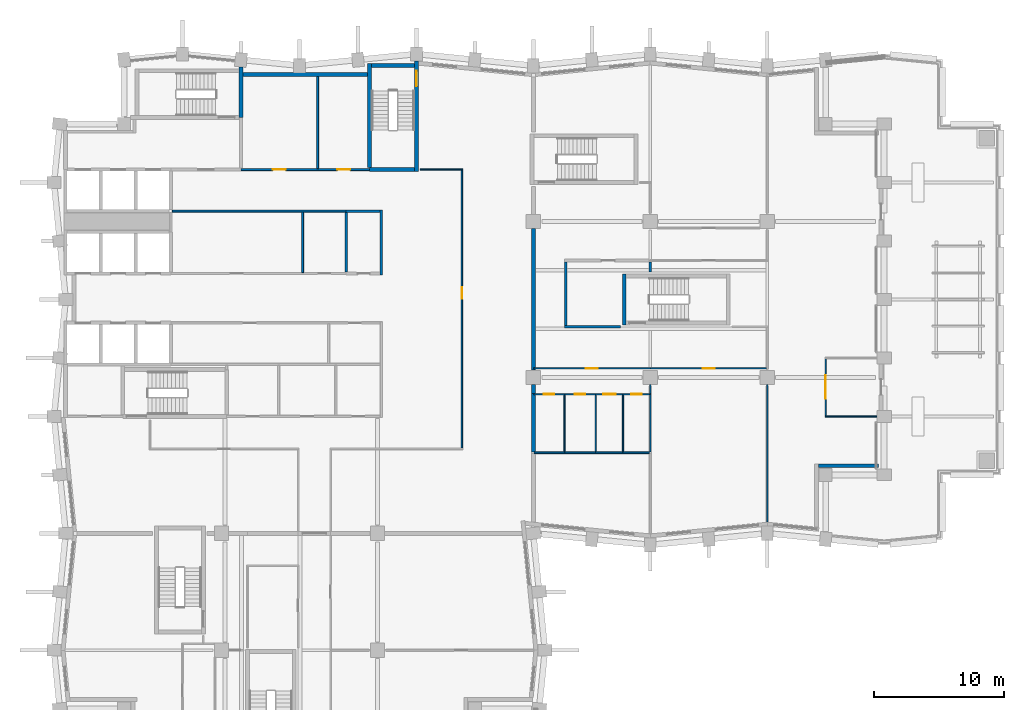
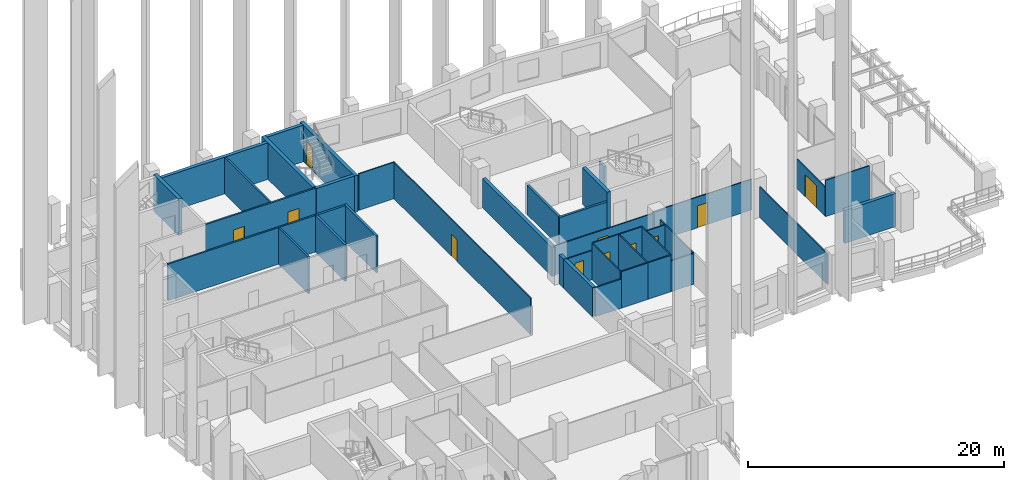
# One storey, part 13 of 18: 41 walls, 11 doors, 11 openings.
"""IFC4 building model written with IfcOpenShell, lengths in metres."""

from ifc_helpers import new_model, si_unit, direction, frame, frame_2d, origin, place, context, subcontext, project, spatial, rectangle, extrude, material, layer, layer_set, type_object, element, fill, save


model = new_model("IFC4")

# Units and contexts
model_context = context("Model", 3, precision=1e-05, world=origin(), true_north=direction((0.0, 1.0)))
body_context = subcontext(model_context, "Body", "Model", "MODEL_VIEW")
ifc_project = project(units=[si_unit("LENGTHUNIT", "METRE"), si_unit("AREAUNIT", "SQUARE_METRE"), si_unit("VOLUMEUNIT", "CUBIC_METRE"), si_unit("PLANEANGLEUNIT", "RADIAN"), si_unit("MASSUNIT", "GRAM", prefix="KILO")], contexts=[model_context])

# Site, building, storey
site_placement = place(None, origin())
site = spatial("IfcSite", under=ifc_project, at=site_placement, CompositionType="ELEMENT")
building_placement = place(site_placement, origin())
building = spatial("IfcBuilding", under=site, at=building_placement, Name="Brondeck Convention Tower", CompositionType="ELEMENT")
storey_placement = place(building_placement, frame((0.0, 0.0, 143.39990234375)))
storey = spatial("IfcBuildingStorey", under=building, at=storey_placement, Name="L34", CompositionType="ELEMENT", Elevation=143.39990234375)

# Walls
ifc_material_1 = material(Name="Concrete compartment wall C30/37", Category="concrete")
ifc_layer_1 = layer(ifc_material_1, 0.300048828125)
ifc_layer_set_1 = layer_set([ifc_layer_1], Name="Compartment wall 300")
wall_type_1 = type_object("IfcWallType", Name="Compartment wall 300", PredefinedType="PARTITIONING", material=ifc_layer_set_1)
wall_1_placement = place(storey_placement, frame((36.0, 33.262451171875, 0.0), z_axis=(0.0, 0.0, 1.0), x_axis=(0.0, 1.0, 0.0)))
element("IfcWall", 1, at=wall_1_placement, inside=storey, type_object=wall_type_1, Name="FLR-L34-W035", PredefinedType="PARTITIONING", context=body_context, shape_type="SweptSolid", body=[
    extrude(rectangle(XDim=4.482666015625, YDim=0.300048828125, at=frame_2d((2.2412109375, 0.0))), origin(), (0.0, 0.0, 1.0), 2.780029296875),
])
wall_2_placement = place(storey_placement, frame((36.0, 37.75, 0.0), z_axis=(0.0, 0.0, 1.0), x_axis=(0.0, 1.0, 0.0)))
element("IfcWall", 2, at=wall_2_placement, inside=storey, type_object=wall_type_1, Name="FLR-L34-W050", PredefinedType="PARTITIONING", context=body_context, shape_type="SweptSolid", body=[
    extrude(rectangle(XDim=0.695068359375, YDim=0.300048828125, at=frame_2d((0.34765625, 0.0))), origin(), (0.0, 0.0, 1.0), 2.780029296875),
])
wall_3_placement = place(storey_placement, frame((36.0, 39.570068359375, 0.0), z_axis=(0.0, 0.0, 1.0), x_axis=(0.0, 1.0, 0.0)))
element("IfcWall", 3, at=wall_3_placement, inside=storey, type_object=wall_type_1, Name="FLR-L34-W054", PredefinedType="PARTITIONING", context=body_context, shape_type="SweptSolid", body=[
    extrude(rectangle(XDim=10.875, YDim=0.300048828125, at=frame_2d((5.4375, 0.0))), origin(), (0.0, 0.0, 1.0), 2.780029296875),
])
ifc_material_2 = material(Name="Concrete C70/85", Category="concrete")
ifc_layer_2 = layer(ifc_material_2, 0.199951171875)
ifc_layer_set_2 = layer_set([ifc_layer_2], Name="Core beam-seat wall 200 Concrete C70/85")
wall_type_2 = type_object("IfcWallType", Name="Core beam-seat wall 200 Concrete C70/85", PredefinedType="SHEAR", material=ifc_layer_set_2)
wall_4_placement = place(storey_placement, frame((24.300048828125, 46.89990234375, 0.0), z_axis=(0.0, 0.0, 1.0), x_axis=(0.0, 1.0, 0.0)))
element("IfcWall", 4, at=wall_4_placement, inside=storey, type_object=wall_type_2, Name="L34 core wall", PredefinedType="SHEAR", context=body_context, shape_type="SweptSolid", body=[
    extrude(rectangle(XDim=5.0, YDim=0.199951171875, at=frame_2d((2.5, 0.0))), origin(), (0.0, 0.0, 1.0), 3.5),
])
ifc_layer_3 = layer(ifc_material_2, 0.300048828125)
ifc_layer_set_3 = layer_set([ifc_layer_3], Name="Core outer wall 300 Concrete C70/85")
wall_type_3 = type_object("IfcWallType", Name="Core outer wall 300 Concrete C70/85", PredefinedType="SHEAR", material=ifc_layer_set_3)
wall_5_placement = place(storey_placement, frame((13.64990234375, 62.300048828125, 0.0), z_axis=(0.0, 0.0, 1.0), x_axis=(1.0, 0.0, 0.0)))
element("IfcWall", 5, at=wall_5_placement, inside=storey, type_object=wall_type_3, Name="L34 core wall", PredefinedType="SHEAR", context=body_context, shape_type="SweptSolid", body=[
    extrude(rectangle(XDim=9.60009765625, YDim=0.300048828125, at=frame_2d((4.800048828125, 0.0))), origin(), (0.0, 0.0, 1.0), 3.5),
])
ifc_material_3 = material(Name="Fire-rated gypsum board partition")
ifc_layer_4 = layer(ifc_material_3, 0.14990234375)
ifc_layer_set_4 = layer_set([ifc_layer_4], Name="Core partition 150 EI 60")
wall_type_4 = type_object("IfcWallType", Name="Core partition 150 EI 60", PredefinedType="PARTITIONING", material=ifc_layer_set_4)
wall_6_placement = place(storey_placement, frame((8.22509765625, 51.800048828125, 0.0), z_axis=(0.0, 0.0, 1.0), x_axis=(1.0, 0.0, 0.0)))
element("IfcWall", 6, at=wall_6_placement, inside=storey, type_object=wall_type_4, Name="L34 core wall", PredefinedType="PARTITIONING", context=body_context, shape_type="SweptSolid", body=[
    extrude(rectangle(XDim=13.375, YDim=0.14990234375, at=frame_2d((6.6875, 0.0))), origin(), (0.0, 0.0, 1.0), 3.5),
])

# Wall, openings, doors
wall_7_placement = place(storey_placement, frame((13.5, 55.0, 0.0), z_axis=(0.0, 0.0, 1.0), x_axis=(1.0, 0.0, 0.0)))
wall_7 = element("IfcWall", 7, at=wall_7_placement, inside=storey, type_object=wall_type_4, Name="L34 core wall", PredefinedType="PARTITIONING", context=body_context, shape_type="SweptSolid", body=[
    extrude(rectangle(XDim=9.89990234375, YDim=0.14990234375, at=frame_2d((4.949951171875, 0.0))), origin(), (0.0, 0.0, 1.0), 3.5),
])
opening_1_placement = place(wall_7_placement, frame((2.449951171875, 0.0, 0.0)))
opening_1 = element("IfcOpeningElement", 8, at=opening_1_placement, cuts=wall_7, Name="Opening C20-11", PredefinedType="OPENING", context=body_context, shape_type="SweptSolid", body=[
    extrude(rectangle(XDim=1.0, YDim=2.10009765625, at=frame_2d((0.5, 1.050048828125))), frame((0.0, 0.0849609375, 0.0), z_axis=(0.0, -1.0, 0.0), x_axis=(1.0, 0.0, 0.0)), (0.0, 0.0, 1.0), 0.169921875),
])
opening_2_placement = place(wall_7_placement, frame((7.39990234375, 0.0, 0.0)))
opening_2 = element("IfcOpeningElement", 9, at=opening_2_placement, cuts=wall_7, Name="Opening C20-12", PredefinedType="OPENING", context=body_context, shape_type="SweptSolid", body=[
    extrude(rectangle(XDim=1.0, YDim=2.10009765625, at=frame_2d((0.5, 1.050048828125))), frame((0.0, 0.0849609375, 0.0), z_axis=(0.0, -1.0, 0.0), x_axis=(1.0, 0.0, 0.0)), (0.0, 0.0, 1.0), 0.169921875),
])
ifc_material_4 = material(Name="Steel fire door", Category="steel")
door_type_1 = type_object("IfcDoorType", Name="Room door 1000x2100 EI 60", OperationType="NOTDEFINED", PredefinedType="DOOR", material=ifc_material_4)
door_1_placement = place(opening_1_placement, origin())
door_1 = element("IfcDoor", 10, at=door_1_placement, inside=storey, type_object=door_type_1, Name="L34 Room door NE-1", OperationType="SINGLE_SWING_LEFT", OverallHeight=2.10009765625, OverallWidth=1.0, PredefinedType="DOOR", context=body_context, shape_type="SweptSolid", body=[
    extrude(rectangle(XDim=1.0, YDim=2.10009765625, at=frame_2d((0.5, 1.050048828125))), frame((0.0, 0.02490234375, 0.0), z_axis=(0.0, -1.0, 0.0), x_axis=(1.0, 0.0, 0.0)), (0.0, 0.0, 1.0), 0.050048828125),
])
fill(opening_1, door_1)
door_2_placement = place(opening_2_placement, origin())
door_2 = element("IfcDoor", 11, at=door_2_placement, inside=storey, type_object=door_type_1, Name="L34 Room door NE-2", OperationType="SINGLE_SWING_RIGHT", OverallHeight=2.10009765625, OverallWidth=1.0, PredefinedType="DOOR", context=body_context, shape_type="SweptSolid", body=[
    extrude(rectangle(XDim=1.0, YDim=2.10009765625, at=frame_2d((0.5, 1.050048828125))), frame((0.0, 0.02490234375, 0.0), z_axis=(0.0, -1.0, 0.0), x_axis=(1.0, 0.0, 0.0)), (0.0, 0.0, 1.0), 0.050048828125),
])
fill(opening_2, door_2)

# Walls
wall_8_placement = place(storey_placement, frame((18.25, 47.074951171875, 0.0), z_axis=(0.0, 0.0, 1.0), x_axis=(0.0, 1.0, 0.0)))
element("IfcWall", 12, at=wall_8_placement, inside=storey, type_object=wall_type_4, Name="L34 core wall", PredefinedType="PARTITIONING", context=body_context, shape_type="SweptSolid", body=[
    extrude(rectangle(XDim=4.650146484375, YDim=0.14990234375, at=frame_2d((2.3251953125, 0.0))), origin(), (0.0, 0.0, 1.0), 3.5),
])
wall_9_placement = place(storey_placement, frame((19.39990234375, 55.074951171875, 0.0), z_axis=(0.0, 0.0, 1.0), x_axis=(0.0, 1.0, 0.0)))
element("IfcWall", 13, at=wall_9_placement, inside=storey, type_object=wall_type_4, Name="L34 core wall", PredefinedType="PARTITIONING", context=body_context, shape_type="SweptSolid", body=[
    extrude(rectangle(XDim=7.074951171875, YDim=0.14990234375, at=frame_2d((3.53759765625, 0.0))), origin(), (0.0, 0.0, 1.0), 3.5),
])
ifc_material_5 = material(Name="Precast concrete C50/60 bronze finish", Category="concrete")
ifc_layer_5 = layer(ifc_material_5, 0.070068359375, Name="Bronze precast facing")
ifc_material_6 = material(Name="Mineral wool")
ifc_layer_6 = layer(ifc_material_6, 0.159912109375, Name="Insulation")
ifc_material_7 = material(Name="Concrete C35/45", Category="concrete")
ifc_layer_7 = layer(ifc_material_7, 0.070068359375, Name="Backing")
ifc_layer_set_5 = layer_set([ifc_layer_5, ifc_layer_6, ifc_layer_7], Name="External infill wall, precast concrete C50/60 bronze facing")
wall_type_5 = type_object("IfcWallType", Name="External infill wall, precast concrete C50/60 bronze facing", PredefinedType="SOLIDWALL", material=ifc_layer_set_5)
wall_10_placement = place(storey_placement, frame((62.550048828125, 32.199951171875, 0.0), z_axis=(0.0, 0.0, 1.0), x_axis=(-1.0, 0.0, 0.0)))
element("IfcWall", 14, at=wall_10_placement, inside=storey, type_object=wall_type_5, Name="ENV-EW-L34-P1-NC-SEA63-02", PredefinedType="SOLIDWALL", context=body_context, shape_type="SweptSolid", body=[
    extrude(rectangle(XDim=4.60205078125, YDim=0.300048828125, at=frame_2d((2.301025390625, 0.0))), origin(), (0.0, 0.0, 1.0), 3.150146484375),
])
ifc_material_8 = material(Name="Concrete block wall C16/20", Category="concrete")
ifc_layer_8 = layer(ifc_material_8, 0.199951171875)
ifc_layer_set_6 = layer_set([ifc_layer_8], Name="Plant room wall 200")
wall_type_6 = type_object("IfcWallType", Name="Plant room wall 200", PredefinedType="PARTITIONING", material=ifc_layer_set_6)
wall_11_placement = place(storey_placement, frame((38.39990234375, 42.89990234375, 0.0), z_axis=(0.0, 0.0, 1.0), x_axis=(1.0, 0.0, 0.0)))
element("IfcWall", 15, at=wall_11_placement, inside=storey, type_object=wall_type_6, Name="FLR-L34-W057", PredefinedType="PARTITIONING", context=body_context, shape_type="SweptSolid", body=[
    extrude(rectangle(XDim=4.300048828125, YDim=0.199951171875, at=frame_2d((2.14990234375, 0.0))), origin(), (0.0, 0.0, 1.0), 2.780029296875),
])
wall_12_placement = place(storey_placement, frame((38.5, 47.89990234375, 0.0), z_axis=(0.0, 0.0, 1.0), x_axis=(0.0, -1.0, 0.0)))
element("IfcWall", 16, at=wall_12_placement, inside=storey, type_object=wall_type_6, Name="FLR-L34-W059", PredefinedType="PARTITIONING", context=body_context, shape_type="SweptSolid", body=[
    extrude(rectangle(XDim=4.89990234375, YDim=0.199951171875, at=frame_2d((2.449951171875, 0.0))), origin(), (0.0, 0.0, 1.0), 2.780029296875),
])
wall_13_placement = place(storey_placement, frame((45.0, 47.89990234375, 0.0), z_axis=(0.0, 0.0, 1.0), x_axis=(0.0, -1.0, 0.0)))
element("IfcWall", 17, at=wall_13_placement, inside=storey, type_object=wall_type_6, Name="FLR-L34-W060", PredefinedType="PARTITIONING", context=body_context, shape_type="SweptSolid", body=[
    extrude(rectangle(XDim=0.7998046875, YDim=0.199951171875, at=frame_2d((0.39990234375, 0.0))), origin(), (0.0, 0.0, 1.0), 2.780029296875),
])
ifc_material_9 = material(Name="Gypsum board shaft wall on steel studs", Category="steel")
ifc_layer_9 = layer(ifc_material_9, 0.125)
ifc_layer_set_7 = layer_set([ifc_layer_9], Name="Riser wall 125")
wall_type_7 = type_object("IfcWallType", Name="Riser wall 125", PredefinedType="PARTITIONING", material=ifc_layer_set_7)
wall_14_placement = place(storey_placement, frame((38.39990234375, 33.199951171875, 0.0), z_axis=(0.0, 0.0, 1.0), x_axis=(-1.0, 0.0, 0.0)))
element("IfcWall", 18, at=wall_14_placement, inside=storey, type_object=wall_type_7, Name="FLR-L34-W031", PredefinedType="PARTITIONING", context=body_context, shape_type="SweptSolid", body=[
    extrude(rectangle(XDim=2.33740234375, YDim=0.125, at=frame_2d((1.168701171875, 0.0))), origin(), (0.0, 0.0, 1.0), 2.780029296875),
])
wall_15_placement = place(storey_placement, frame((40.800048828125, 33.199951171875, 0.0), z_axis=(0.0, 0.0, 1.0), x_axis=(-1.0, 0.0, 0.0)))
element("IfcWall", 19, at=wall_15_placement, inside=storey, type_object=wall_type_7, Name="FLR-L34-W032", PredefinedType="PARTITIONING", context=body_context, shape_type="SweptSolid", body=[
    extrude(rectangle(XDim=2.400146484375, YDim=0.125, at=frame_2d((1.2001953125, 0.0))), origin(), (0.0, 0.0, 1.0), 3.47998046875),
])
wall_16_placement = place(storey_placement, frame((42.89990234375, 33.199951171875, 0.0), z_axis=(0.0, 0.0, 1.0), x_axis=(-1.0, 0.0, 0.0)))
element("IfcWall", 20, at=wall_16_placement, inside=storey, type_object=wall_type_7, Name="FLR-L34-W033", PredefinedType="PARTITIONING", context=body_context, shape_type="SweptSolid", body=[
    extrude(rectangle(XDim=2.099853515625, YDim=0.125, at=frame_2d((1.0498046875, 0.0))), origin(), (0.0, 0.0, 1.0), 3.47998046875),
])
wall_17_placement = place(storey_placement, frame((44.9375, 33.199951171875, 0.0), z_axis=(0.0, 0.0, 1.0), x_axis=(-1.0, 0.0, 0.0)))
element("IfcWall", 21, at=wall_17_placement, inside=storey, type_object=wall_type_7, Name="FLR-L34-W034", PredefinedType="PARTITIONING", context=body_context, shape_type="SweptSolid", body=[
    extrude(rectangle(XDim=2.03759765625, YDim=0.125, at=frame_2d((1.018798828125, 0.0))), origin(), (0.0, 0.0, 1.0), 2.93017578125),
])
ifc_layer_10 = layer(ifc_material_3, 0.199951171875)
ifc_layer_set_8 = layer_set([ifc_layer_10], Name="Riser wall 200 EI 120")
wall_type_8 = type_object("IfcWallType", Name="Riser wall 200 EI 120", PredefinedType="PARTITIONING", material=ifc_layer_set_8)
wall_18_placement = place(storey_placement, frame((21.60009765625, 51.800048828125, 0.0), z_axis=(0.0, 0.0, 1.0), x_axis=(1.0, 0.0, 0.0)))
element("IfcWall", 22, at=wall_18_placement, inside=storey, type_object=wall_type_8, Name="L34 core wall", PredefinedType="PARTITIONING", context=body_context, shape_type="SweptSolid", body=[
    extrude(rectangle(XDim=2.599853515625, YDim=0.199951171875, at=frame_2d((1.2998046875, 0.0))), origin(), (0.0, 0.0, 1.0), 3.5),
])
wall_19_placement = place(storey_placement, frame((21.60009765625, 47.10009765625, 0.0), z_axis=(0.0, 0.0, 1.0), x_axis=(0.0, 1.0, 0.0)))
element("IfcWall", 23, at=wall_19_placement, inside=storey, type_object=wall_type_8, Name="L34 core wall", PredefinedType="PARTITIONING", context=body_context, shape_type="SweptSolid", body=[
    extrude(rectangle(XDim=4.599853515625, YDim=0.199951171875, at=frame_2d((2.2998046875, 0.0))), origin(), (0.0, 0.0, 1.0), 3.5),
])
ifc_material_10 = material(Name="Gypsum board partition on steel studs", Category="steel")
ifc_layer_11 = layer(ifc_material_10, 0.10009765625)
ifc_layer_set_9 = layer_set([ifc_layer_11], Name="Room partition 100")
wall_type_9 = type_object("IfcWallType", Name="Room partition 100", PredefinedType="PARTITIONING", material=ifc_layer_set_9)
wall_20_placement = place(storey_placement, frame((54.0, 27.874267578125, 0.0), z_axis=(0.0, 0.0, 1.0), x_axis=(0.0, 1.0, 0.0)))
element("IfcWall", 24, at=wall_20_placement, inside=storey, type_object=wall_type_9, Name="FLR-L34-W028", PredefinedType="PARTITIONING", context=body_context, shape_type="SweptSolid", body=[
    extrude(rectangle(XDim=10.57080078125, YDim=0.10009765625, at=frame_2d((5.285400390625, 0.0))), origin(), (0.0, 0.0, 1.0), 2.93017578125),
])
wall_21_placement = place(storey_placement, frame((62.429931640625, 36.0, 0.0), z_axis=(0.0, 0.0, 1.0), x_axis=(-1.0, 0.0, 0.0)))
element("IfcWall", 25, at=wall_21_placement, inside=storey, type_object=wall_type_9, Name="FLR-L34-W040", PredefinedType="PARTITIONING", context=body_context, shape_type="SweptSolid", body=[
    extrude(rectangle(XDim=3.97998046875, YDim=0.10009765625, at=frame_2d((1.989990234375, 0.0))), origin(), (0.0, 0.0, 1.0), 3.47998046875),
])

# Wall, opening, door
wall_22_placement = place(storey_placement, frame((58.5, 40.449951171875, 0.0), z_axis=(0.0, 0.0, 1.0), x_axis=(0.0, -1.0, 0.0)))
wall_22 = element("IfcWall", 26, at=wall_22_placement, inside=storey, type_object=wall_type_9, Name="FLR-L34-W041", PredefinedType="PARTITIONING", context=body_context, shape_type="SweptSolid", body=[
    extrude(rectangle(XDim=4.39990234375, YDim=0.10009765625, at=frame_2d((2.199951171875, 0.0))), origin(), (0.0, 0.0, 1.0), 2.780029296875),
])
opening_3_placement = place(wall_22_placement, frame((1.300048828125, 0.0, 0.0)))
opening_3 = element("IfcOpeningElement", 27, at=opening_3_placement, cuts=wall_22, Name="Opening OF-F-005", PredefinedType="OPENING", context=body_context, shape_type="SweptSolid", body=[
    extrude(rectangle(XDim=1.800048828125, YDim=2.10009765625, at=frame_2d((0.89990234375, 1.050048828125))), frame((0.0, 0.06005859375, 0.0), z_axis=(0.0, -1.0, 0.0), x_axis=(1.0, 0.0, 0.0)), (0.0, 0.0, 1.0), 0.1201171875),
])
ifc_material_11 = material(Name="Glazed timber double door", Category="wood")
door_type_2 = type_object("IfcDoorType", Name="Double door 1800", OperationType="DOUBLE_DOOR_SINGLE_SWING", PredefinedType="DOOR", material=ifc_material_11)
door_3_placement = place(opening_3_placement, origin())
door_3 = element("IfcDoor", 28, at=door_3_placement, inside=storey, type_object=door_type_2, Name="Door OF-F-005", OperationType="DOUBLE_DOOR_SINGLE_SWING", OverallHeight=2.10009765625, OverallWidth=1.800048828125, PredefinedType="DOOR", context=body_context, shape_type="SweptSolid", body=[
    extrude(rectangle(XDim=1.800048828125, YDim=2.10009765625, at=frame_2d((0.89990234375, 1.050048828125))), frame((0.0, 0.02490234375, 0.0), z_axis=(0.0, -1.0, 0.0), x_axis=(1.0, 0.0, 0.0)), (0.0, 0.0, 1.0), 0.050048828125),
])
fill(opening_3, door_3)

# Walls
for number, where, z_axis, x_axis, name in (
    (29, (38.39990234375, 37.64990234375, 0.0), (0.0, 0.0, 1.0), (0.0, -1.0, 0.0), "FLR-L34-W042"),
    (30, (40.800048828125, 37.64990234375, 0.0), (0.0, 0.0, 1.0), (0.0, -1.0, 0.0), "FLR-L34-W043"),
    (31, (42.89990234375, 37.64990234375, 0.0), (0.0, 0.0, 1.0), (0.0, -1.0, 0.0), "FLR-L34-W044"),
):
    element("IfcWall", number, at=place(storey_placement, frame(where, z_axis=z_axis, x_axis=x_axis)), inside=storey, type_object=wall_type_9, Name=name, PredefinedType="PARTITIONING", context=body_context, shape_type="SweptSolid", body=[
        extrude(rectangle(XDim=4.387451171875, YDim=0.10009765625, at=frame_2d((2.19384765625, 0.0))), origin(), (0.0, 0.0, 1.0), 3.47998046875),
    ])
wall_23_placement = place(storey_placement, frame((45.0, 37.7451171875, 0.0), z_axis=(0.0, 0.0, 1.0), x_axis=(0.0, -1.0, 0.0)))
element("IfcWall", 32, at=wall_23_placement, inside=storey, type_object=wall_type_9, Name="FLR-L34-W045", PredefinedType="PARTITIONING", context=body_context, shape_type="SweptSolid", body=[
    extrude(rectangle(XDim=4.482666015625, YDim=0.10009765625, at=frame_2d((2.2412109375, 0.0))), origin(), (0.0, 0.0, 1.0), 2.93017578125),
])

# Wall, opening, door
wall_24_placement = place(storey_placement, frame((38.39990234375, 37.699951171875, 0.0), z_axis=(0.0, 0.0, 1.0), x_axis=(-1.0, 0.0, 0.0)))
wall_24 = element("IfcWall", 33, at=wall_24_placement, inside=storey, type_object=wall_type_9, Name="FLR-L34-W046", PredefinedType="PARTITIONING", context=body_context, shape_type="SweptSolid", body=[
    extrude(rectangle(XDim=2.349853515625, YDim=0.10009765625, at=frame_2d((1.1748046875, 0.0))), origin(), (0.0, 0.0, 1.0), 2.780029296875),
])
opening_4_placement = place(wall_24_placement, frame((0.800048828125, 0.0, 0.0)))
opening_4 = element("IfcOpeningElement", 34, at=opening_4_placement, cuts=wall_24, Name="Opening OF-F-008", PredefinedType="OPENING", context=body_context, shape_type="SweptSolid", body=[
    extrude(rectangle(XDim=0.800048828125, YDim=2.10009765625, at=frame_2d((0.39990234375, 1.050048828125))), frame((0.0, 0.06005859375, 0.0), z_axis=(0.0, -1.0, 0.0), x_axis=(1.0, 0.0, 0.0)), (0.0, 0.0, 1.0), 0.1201171875),
])
ifc_material_12 = material(Name="Solid timber door leaf", Category="wood")
door_type_3 = type_object("IfcDoorType", Name="En-suite door 800", OperationType="NOTDEFINED", PredefinedType="DOOR", material=ifc_material_12)
door_4_placement = place(opening_4_placement, origin())
door_4 = element("IfcDoor", 35, at=door_4_placement, inside=storey, type_object=door_type_3, Name="Door OF-F-008", OperationType="SINGLE_SWING_LEFT", OverallHeight=2.10009765625, OverallWidth=0.800048828125, PredefinedType="DOOR", context=body_context, shape_type="SweptSolid", body=[
    extrude(rectangle(XDim=0.800048828125, YDim=2.10009765625, at=frame_2d((0.39990234375, 1.050048828125))), frame((0.0, 0.02490234375, 0.0), z_axis=(0.0, -1.0, 0.0), x_axis=(1.0, 0.0, 0.0)), (0.0, 0.0, 1.0), 0.050048828125),
])
fill(opening_4, door_4)

wall_25_placement = place(storey_placement, frame((40.800048828125, 37.699951171875, 0.0), z_axis=(0.0, 0.0, 1.0), x_axis=(-1.0, 0.0, 0.0)))
wall_25 = element("IfcWall", 36, at=wall_25_placement, inside=storey, type_object=wall_type_9, Name="FLR-L34-W047", PredefinedType="PARTITIONING", context=body_context, shape_type="SweptSolid", body=[
    extrude(rectangle(XDim=2.400146484375, YDim=0.10009765625, at=frame_2d((1.2001953125, 0.0))), origin(), (0.0, 0.0, 1.0), 3.47998046875),
])
opening_5_placement = place(wall_25_placement, frame((0.800048828125, 0.0, 0.0)))
opening_5 = element("IfcOpeningElement", 37, at=opening_5_placement, cuts=wall_25, Name="Opening OF-F-009", PredefinedType="OPENING", context=body_context, shape_type="SweptSolid", body=[
    extrude(rectangle(XDim=0.800048828125, YDim=2.10009765625, at=frame_2d((0.39990234375, 1.050048828125))), frame((0.0, 0.06005859375, 0.0), z_axis=(0.0, -1.0, 0.0), x_axis=(1.0, 0.0, 0.0)), (0.0, 0.0, 1.0), 0.1201171875),
])
door_5_placement = place(opening_5_placement, origin())
door_5 = element("IfcDoor", 38, at=door_5_placement, inside=storey, type_object=door_type_3, Name="Door OF-F-009", OperationType="SINGLE_SWING_LEFT", OverallHeight=2.10009765625, OverallWidth=0.800048828125, PredefinedType="DOOR", context=body_context, shape_type="SweptSolid", body=[
    extrude(rectangle(XDim=0.800048828125, YDim=2.10009765625, at=frame_2d((0.39990234375, 1.050048828125))), frame((0.0, 0.02490234375, 0.0), z_axis=(0.0, -1.0, 0.0), x_axis=(1.0, 0.0, 0.0)), (0.0, 0.0, 1.0), 0.050048828125),
])
fill(opening_5, door_5)

wall_26_placement = place(storey_placement, frame((42.89990234375, 37.699951171875, 0.0), z_axis=(0.0, 0.0, 1.0), x_axis=(-1.0, 0.0, 0.0)))
wall_26 = element("IfcWall", 39, at=wall_26_placement, inside=storey, type_object=wall_type_9, Name="FLR-L34-W048", PredefinedType="PARTITIONING", context=body_context, shape_type="SweptSolid", body=[
    extrude(rectangle(XDim=2.099853515625, YDim=0.10009765625, at=frame_2d((1.0498046875, 0.0))), origin(), (0.0, 0.0, 1.0), 3.47998046875),
])
opening_6_placement = place(wall_26_placement, frame((0.574951171875, 0.0, 0.0)))
opening_6 = element("IfcOpeningElement", 40, at=opening_6_placement, cuts=wall_26, Name="Opening OF-F-010", PredefinedType="OPENING", context=body_context, shape_type="SweptSolid", body=[
    extrude(rectangle(XDim=0.949951171875, YDim=2.10009765625, at=frame_2d((0.47509765625, 1.050048828125))), frame((0.0, 0.06005859375, 0.0), z_axis=(0.0, -1.0, 0.0), x_axis=(1.0, 0.0, 0.0)), (0.0, 0.0, 1.0), 0.1201171875),
])
door_type_4 = type_object("IfcDoorType", Name="Accessible door 950", OperationType="NOTDEFINED", PredefinedType="DOOR", material=ifc_material_12)
door_6_placement = place(opening_6_placement, origin())
door_6 = element("IfcDoor", 41, at=door_6_placement, inside=storey, type_object=door_type_4, Name="Door OF-F-010", OperationType="SINGLE_SWING_RIGHT", OverallHeight=2.10009765625, OverallWidth=0.949951171875, PredefinedType="DOOR", context=body_context, shape_type="SweptSolid", body=[
    extrude(rectangle(XDim=0.949951171875, YDim=2.10009765625, at=frame_2d((0.47509765625, 1.050048828125))), frame((0.0, 0.02490234375, 0.0), z_axis=(0.0, -1.0, 0.0), x_axis=(1.0, 0.0, 0.0)), (0.0, 0.0, 1.0), 0.050048828125),
])
fill(opening_6, door_6)

wall_27_placement = place(storey_placement, frame((44.949951171875, 37.699951171875, 0.0), z_axis=(0.0, 0.0, 1.0), x_axis=(-1.0, 0.0, 0.0)))
wall_27 = element("IfcWall", 42, at=wall_27_placement, inside=storey, type_object=wall_type_9, Name="FLR-L34-W049", PredefinedType="PARTITIONING", context=body_context, shape_type="SweptSolid", body=[
    extrude(rectangle(XDim=2.050048828125, YDim=0.10009765625, at=frame_2d((1.02490234375, 0.0))), origin(), (0.0, 0.0, 1.0), 2.93017578125),
])
opening_7_placement = place(wall_27_placement, frame((0.60009765625, 0.0, 0.0)))
opening_7 = element("IfcOpeningElement", 43, at=opening_7_placement, cuts=wall_27, Name="Opening OF-F-011", PredefinedType="OPENING", context=body_context, shape_type="SweptSolid", body=[
    extrude(rectangle(XDim=0.800048828125, YDim=2.10009765625, at=frame_2d((0.39990234375, 1.050048828125))), frame((0.0, 0.06005859375, 0.0), z_axis=(0.0, -1.0, 0.0), x_axis=(1.0, 0.0, 0.0)), (0.0, 0.0, 1.0), 0.1201171875),
])
ifc_material_13 = material(Name="Steel service door leaf", Category="steel")
door_type_5 = type_object("IfcDoorType", Name="Service door 800", OperationType="NOTDEFINED", PredefinedType="DOOR", material=ifc_material_13)
door_7_placement = place(opening_7_placement, origin())
door_7 = element("IfcDoor", 44, at=door_7_placement, inside=storey, type_object=door_type_5, Name="Door OF-F-011", OperationType="SINGLE_SWING_LEFT", OverallHeight=2.10009765625, OverallWidth=0.800048828125, PredefinedType="DOOR", context=body_context, shape_type="SweptSolid", body=[
    extrude(rectangle(XDim=0.800048828125, YDim=2.10009765625, at=frame_2d((0.39990234375, 1.050048828125))), frame((0.0, 0.02490234375, 0.0), z_axis=(0.0, -1.0, 0.0), x_axis=(1.0, 0.0, 0.0)), (0.0, 0.0, 1.0), 0.050048828125),
])
fill(opening_7, door_7)

# Wall
wall_28_placement = place(storey_placement, frame((45.0, 38.445068359375, 0.0), z_axis=(0.0, 0.0, 1.0), x_axis=(0.0, -1.0, 0.0)))
element("IfcWall", 45, at=wall_28_placement, inside=storey, type_object=wall_type_9, Name="FLR-L34-W051", PredefinedType="PARTITIONING", context=body_context, shape_type="SweptSolid", body=[
    extrude(rectangle(XDim=0.695068359375, YDim=0.10009765625, at=frame_2d((0.34765625, 0.0))), origin(), (0.0, 0.0, 1.0), 2.93017578125),
])

# Wall, opening, door
wall_29_placement = place(storey_placement, frame((45.0, 39.699951171875, 0.0), z_axis=(0.0, 0.0, 1.0), x_axis=(-1.0, 0.0, 0.0)))
wall_29 = element("IfcWall", 46, at=wall_29_placement, inside=storey, type_object=wall_type_9, Name="FLR-L34-W052", PredefinedType="PARTITIONING", context=body_context, shape_type="SweptSolid", body=[
    extrude(rectangle(XDim=8.949951171875, YDim=0.10009765625, at=frame_2d((4.47509765625, 0.0))), origin(), (0.0, 0.0, 1.0), 2.780029296875),
])
opening_8_placement = place(wall_29_placement, frame((4.050048828125, 0.0, 0.0)))
opening_8 = element("IfcOpeningElement", 47, at=opening_8_placement, cuts=wall_29, Name="Opening OF-F-007", PredefinedType="OPENING", context=body_context, shape_type="SweptSolid", body=[
    extrude(rectangle(XDim=0.89990234375, YDim=2.10009765625, at=frame_2d((0.449951171875, 1.050048828125))), frame((0.0, 0.06005859375, 0.0), z_axis=(0.0, -1.0, 0.0), x_axis=(1.0, 0.0, 0.0)), (0.0, 0.0, 1.0), 0.1201171875),
])
door_type_6 = type_object("IfcDoorType", Name="Single door 900", OperationType="NOTDEFINED", PredefinedType="DOOR", material=ifc_material_12)
door_8_placement = place(opening_8_placement, origin())
door_8 = element("IfcDoor", 48, at=door_8_placement, inside=storey, type_object=door_type_6, Name="Door OF-F-007", OperationType="SINGLE_SWING_LEFT", OverallHeight=2.10009765625, OverallWidth=0.89990234375, PredefinedType="DOOR", context=body_context, shape_type="SweptSolid", body=[
    extrude(rectangle(XDim=0.89990234375, YDim=2.10009765625, at=frame_2d((0.449951171875, 1.050048828125))), frame((0.0, 0.02490234375, 0.0), z_axis=(0.0, -1.0, 0.0), x_axis=(1.0, 0.0, 0.0)), (0.0, 0.0, 1.0), 0.050048828125),
])
fill(opening_8, door_8)

wall_30_placement = place(storey_placement, frame((53.949951171875, 39.699951171875, 0.0), z_axis=(0.0, 0.0, 1.0), x_axis=(-1.0, 0.0, 0.0)))
wall_30 = element("IfcWall", 49, at=wall_30_placement, inside=storey, type_object=wall_type_9, Name="FLR-L34-W053", PredefinedType="PARTITIONING", context=body_context, shape_type="SweptSolid", body=[
    extrude(rectangle(XDim=8.949951171875, YDim=0.10009765625, at=frame_2d((4.47509765625, 0.0))), origin(), (0.0, 0.0, 1.0), 2.93017578125),
])
opening_9_placement = place(wall_30_placement, frame((4.0, 0.0, 0.0)))
opening_9 = element("IfcOpeningElement", 50, at=opening_9_placement, cuts=wall_30, Name="Opening OF-F-012", PredefinedType="OPENING", context=body_context, shape_type="SweptSolid", body=[
    extrude(rectangle(XDim=0.89990234375, YDim=2.10009765625, at=frame_2d((0.449951171875, 1.050048828125))), frame((0.0, 0.06005859375, 0.0), z_axis=(0.0, -1.0, 0.0), x_axis=(1.0, 0.0, 0.0)), (0.0, 0.0, 1.0), 0.1201171875),
])
door_9_placement = place(opening_9_placement, origin())
door_9 = element("IfcDoor", 51, at=door_9_placement, inside=storey, type_object=door_type_6, Name="Door OF-F-012", OperationType="SINGLE_SWING_LEFT", OverallHeight=2.10009765625, OverallWidth=0.89990234375, PredefinedType="DOOR", context=body_context, shape_type="SweptSolid", body=[
    extrude(rectangle(XDim=0.89990234375, YDim=2.10009765625, at=frame_2d((0.449951171875, 1.050048828125))), frame((0.0, 0.02490234375, 0.0), z_axis=(0.0, -1.0, 0.0), x_axis=(1.0, 0.0, 0.0)), (0.0, 0.0, 1.0), 0.050048828125),
])
fill(opening_9, door_9)

wall_31_placement = place(storey_placement, frame((30.5, 54.949951171875, 0.0), z_axis=(0.0, 0.0, 1.0), x_axis=(0.0, -1.0, 0.0)))
wall_31 = element("IfcWall", 52, at=wall_31_placement, inside=storey, type_object=wall_type_9, Name="FLR-L34-W069", PredefinedType="PARTITIONING", context=body_context, shape_type="SweptSolid", body=[
    extrude(rectangle(XDim=21.39990234375, YDim=0.10009765625, at=frame_2d((10.699951171875, 0.0))), origin(), (0.0, 0.0, 1.0), 3.47998046875),
])
opening_10_placement = place(wall_31_placement, frame((9.0, 0.0, 0.0)))
opening_10 = element("IfcOpeningElement", 53, at=opening_10_placement, cuts=wall_31, Name="Opening OF-F-018", PredefinedType="OPENING", context=body_context, shape_type="SweptSolid", body=[
    extrude(rectangle(XDim=0.89990234375, YDim=2.10009765625, at=frame_2d((0.449951171875, 1.050048828125))), frame((0.0, 0.06005859375, 0.0), z_axis=(0.0, -1.0, 0.0), x_axis=(1.0, 0.0, 0.0)), (0.0, 0.0, 1.0), 0.1201171875),
])
door_10_placement = place(opening_10_placement, origin())
door_10 = element("IfcDoor", 54, at=door_10_placement, inside=storey, type_object=door_type_6, Name="Door OF-F-018", OperationType="SINGLE_SWING_LEFT", OverallHeight=2.10009765625, OverallWidth=0.89990234375, PredefinedType="DOOR", context=body_context, shape_type="SweptSolid", body=[
    extrude(rectangle(XDim=0.89990234375, YDim=2.10009765625, at=frame_2d((0.449951171875, 1.050048828125))), frame((0.0, 0.02490234375, 0.0), z_axis=(0.0, -1.0, 0.0), x_axis=(1.0, 0.0, 0.0)), (0.0, 0.0, 1.0), 0.050048828125),
])
fill(opening_10, door_10)

# Walls
wall_32_placement = place(storey_placement, frame((27.300048828125, 55.0, 0.0), z_axis=(0.0, 0.0, 1.0), x_axis=(1.0, 0.0, 0.0)))
element("IfcWall", 55, at=wall_32_placement, inside=storey, type_object=wall_type_9, Name="FLR-L34-W070", PredefinedType="PARTITIONING", context=body_context, shape_type="SweptSolid", body=[
    extrude(rectangle(XDim=3.25, YDim=0.10009765625, at=frame_2d((1.625, 0.0))), origin(), (0.0, 0.0, 1.0), 3.47998046875),
])
ifc_layer_12 = layer(ifc_material_2, 0.300048828125)
ifc_layer_set_10 = layer_set([ifc_layer_12], Name="Stair enclosure wall 300 Concrete C70/85")
wall_type_10 = type_object("IfcWallType", Name="Stair enclosure wall 300 Concrete C70/85", PredefinedType="SHEAR", material=ifc_layer_set_10)
wall_33_placement = place(storey_placement, frame((23.39990234375, 55.0, 0.0), z_axis=(0.0, 0.0, 1.0), x_axis=(1.0, 0.0, 0.0)))
element("IfcWall", 56, at=wall_33_placement, inside=storey, type_object=wall_type_10, Name="L34 core wall", PredefinedType="SHEAR", context=body_context, shape_type="SweptSolid", body=[
    extrude(rectangle(XDim=3.4501953125, YDim=0.300048828125, at=frame_2d((1.72509765625, 0.0))), origin(), (0.0, 0.0, 1.0), 3.5),
])
wall_34_placement = place(storey_placement, frame((23.550048828125, 63.0, 0.0), z_axis=(0.0, 0.0, 1.0), x_axis=(1.0, 0.0, 0.0)))
element("IfcWall", 57, at=wall_34_placement, inside=storey, type_object=wall_type_10, Name="L34 core wall", PredefinedType="SHEAR", context=body_context, shape_type="SweptSolid", body=[
    extrude(rectangle(XDim=3.300048828125, YDim=0.300048828125, at=frame_2d((1.64990234375, 0.0))), origin(), (0.0, 0.0, 1.0), 3.5),
])
wall_35_placement = place(storey_placement, frame((13.5, 59.0, 0.0), z_axis=(0.0, 0.0, 1.0), x_axis=(0.0, 1.0, 0.0)))
element("IfcWall", 58, at=wall_35_placement, inside=storey, type_object=wall_type_10, Name="L34 core wall", PredefinedType="SHEAR", context=body_context, shape_type="SweptSolid", body=[
    extrude(rectangle(XDim=3.897216796875, YDim=0.300048828125, at=frame_2d((1.94873046875, 0.0))), origin(), (0.0, 0.0, 1.0), 3.5),
])
wall_36_placement = place(storey_placement, frame((23.39990234375, 55.14990234375, 0.0), z_axis=(0.0, 0.0, 1.0), x_axis=(0.0, 1.0, 0.0)))
element("IfcWall", 59, at=wall_36_placement, inside=storey, type_object=wall_type_10, Name="L34 core wall", PredefinedType="SHEAR", context=body_context, shape_type="SweptSolid", body=[
    extrude(rectangle(XDim=8.0, YDim=0.300048828125, at=frame_2d((4.0, 0.0))), origin(), (0.0, 0.0, 1.0), 3.5),
])

# Wall, opening, door
wall_37_placement = place(storey_placement, frame((27.0, 54.85009765625, 0.0), z_axis=(0.0, 0.0, 1.0), x_axis=(0.0, 1.0, 0.0)))
wall_37 = element("IfcWall", 60, at=wall_37_placement, inside=storey, type_object=wall_type_10, Name="L34 core wall", PredefinedType="SHEAR", context=body_context, shape_type="SweptSolid", body=[
    extrude(rectangle(XDim=8.5, YDim=0.300048828125, at=frame_2d((4.25, 0.0))), origin(), (0.0, 0.0, 1.0), 3.5),
])
opening_11_placement = place(wall_37_placement, frame((6.550048828125, 0.0, 0.0)))
opening_11 = element("IfcOpeningElement", 61, at=opening_11_placement, cuts=wall_37, Name="Opening C20-14", PredefinedType="OPENING", context=body_context, shape_type="SweptSolid", body=[
    extrude(rectangle(XDim=1.199951171875, YDim=2.199951171875, at=frame_2d((0.60009765625, 1.10009765625))), frame((0.0, 0.159912109375, 0.0), z_axis=(0.0, -1.0, 0.0), x_axis=(1.0, 0.0, 0.0)), (0.0, 0.0, 1.0), 0.320068359375),
])
door_type_7 = type_object("IfcDoorType", Name="Stair door 1200x2200 EI 90", OperationType="NOTDEFINED", PredefinedType="DOOR", material=ifc_material_4)
door_11_placement = place(opening_11_placement, origin())
door_11 = element("IfcDoor", 62, at=door_11_placement, inside=storey, type_object=door_type_7, Name="L34 Stair door ST-2", OperationType="SINGLE_SWING_LEFT", OverallHeight=2.199951171875, OverallWidth=1.199951171875, PredefinedType="DOOR", context=body_context, shape_type="SweptSolid", body=[
    extrude(rectangle(XDim=1.199951171875, YDim=2.199951171875, at=frame_2d((0.60009765625, 1.10009765625))), frame((0.0, 0.02490234375, 0.0), z_axis=(0.0, -1.0, 0.0), x_axis=(1.0, 0.0, 0.0)), (0.0, 0.0, 1.0), 0.050048828125),
])
fill(opening_11, door_11)

# Wall
wall_38_placement = place(storey_placement, frame((43.0, 43.050048828125, 0.0), z_axis=(0.0, 0.0, 1.0), x_axis=(0.0, 1.0, 0.0)))
element("IfcWall", 63, at=wall_38_placement, inside=storey, type_object=wall_type_10, Name="L34 core wall", PredefinedType="SHEAR", context=body_context, shape_type="SweptSolid", body=[
    extrude(rectangle(XDim=3.89990234375, YDim=0.300048828125, at=frame_2d((1.949951171875, 0.0))), origin(), (0.0, 0.0, 1.0), 3.5),
])

save(model, "model.ifc")
